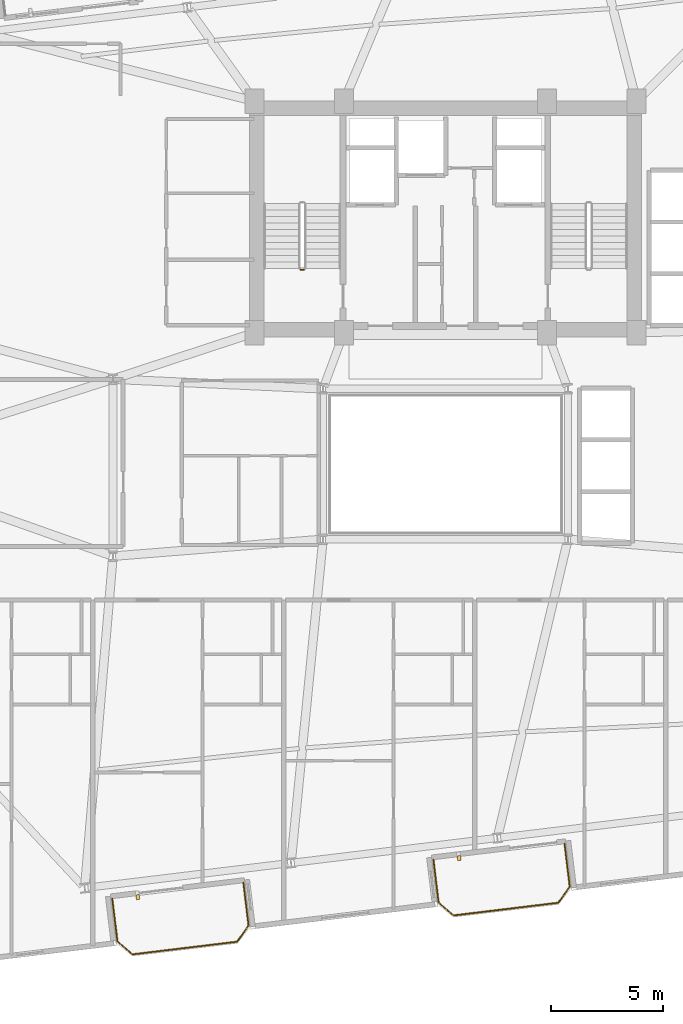
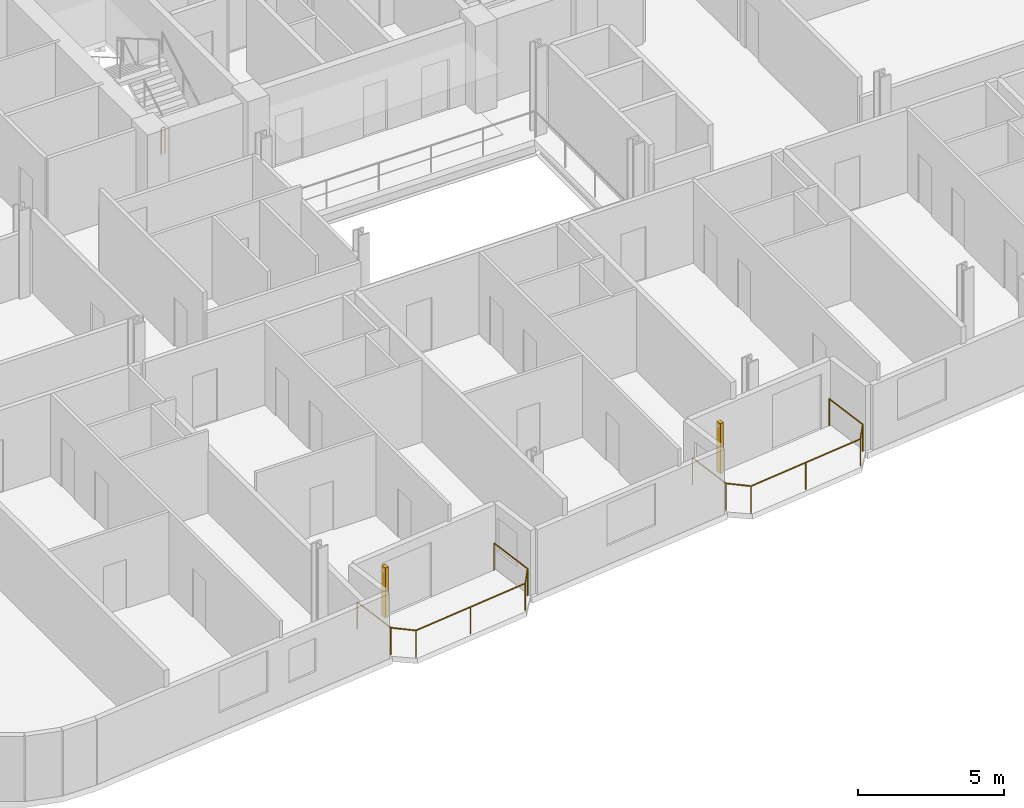
# One storey, part 20 of 23: 3 railings, 2 shading devices.
"""IFC4 building model written with IfcOpenShell, lengths in metres."""

from ifc_helpers import new_model, si_unit, direction, frame, origin, origin_2d, place, context, subcontext, project, spatial, rectangle, circle, extrude, source, transform, mapped, material, type_object, element, save


model = new_model("IFC4")

# Units and contexts
model_context = context("Model", 3, precision=1e-05, world=origin(), true_north=direction((0.0, 1.0)))
body_context = subcontext(model_context, "Body", "Model", "MODEL_VIEW")
ifc_project = project(units=[si_unit("LENGTHUNIT", "METRE"), si_unit("AREAUNIT", "SQUARE_METRE"), si_unit("VOLUMEUNIT", "CUBIC_METRE"), si_unit("PLANEANGLEUNIT", "RADIAN"), si_unit("MASSUNIT", "GRAM", prefix="KILO")], contexts=[model_context])

# Site, building, storey
site_placement = place(None, origin())
site = spatial("IfcSite", under=ifc_project, at=site_placement, CompositionType="ELEMENT")
building_placement = place(site_placement, origin())
building = spatial("IfcBuilding", under=site, at=building_placement, Name="Varnelok Gate Tower", CompositionType="ELEMENT")
storey_placement = place(building_placement, frame((0.0, 0.0, 193.10009765625)))
storey = spatial("IfcBuildingStorey", under=building, at=storey_placement, Name="L49", CompositionType="ELEMENT", Elevation=193.10009765625)

# Railings
ifc_material_1 = material(Name="Low-E Laminated Double Glazing IGU", Category="glass")
railing_type_1 = type_object("IfcRailingType", Name="RL-BALC-1150", PredefinedType="BALUSTRADE", material=ifc_material_1)
railing_1_placement = place(storey_placement, frame((24.368896484375, 3.55712890625, 0.0)))
element("IfcRailing", 1, at=railing_1_placement, inside=storey, type_object=railing_type_1, Name="L49 South Terrace Balustrade 1", PredefinedType="BALUSTRADE", context=body_context, shape_type="SweptSolid", body=[
    extrude(circle(Radius=0.02392578125, at=origin_2d()), frame((0.0, 0.0, 1.1259765625), z_axis=(0.120293392036, -0.992738384386, 0.0), x_axis=(0.992738384386, 0.120293392036, 0.0)), (0.0, 0.0, 1.0), 1.919921875),
    extrude(circle(Radius=0.02392578125, at=origin_2d()), frame((0.23095703125, -1.906005859375, 1.1259765625), z_axis=(0.756422670136, -0.654083132411, 0.0), x_axis=(0.654083132411, 0.756422670136, 0.0)), (0.0, 0.0, 1.0), 0.8779296875),
    extrude(circle(Radius=0.02392578125, at=origin_2d()), frame((0.89501953125, -2.480224609375, 1.1259765625), z_axis=(0.992736790351, 0.120306546306, 0.0), x_axis=(-0.120306546306, 0.992736790351, 0.0)), (0.0, 0.0, 1.0), 4.699951171875),
    extrude(circle(Radius=0.02392578125, at=origin_2d()), frame((5.560791015625, -1.914794921875, 1.1259765625), z_axis=(0.57815621837, 0.815926091726, 0.0), x_axis=(-0.815926091726, 0.57815621837, 0.0)), (0.0, 0.0, 1.0), 0.8779296875),
    extrude(circle(Radius=0.02392578125, at=origin_2d()), frame((6.068359375, -1.198486328125, 1.1259765625), z_axis=(-0.12040351024, 0.992725034802, 0.0), x_axis=(-0.992725034802, -0.12040351024, 0.0)), (0.0, 0.0, 1.0), 1.920166015625),
    extrude(circle(Radius=0.02099609375, at=origin_2d()), origin(), (0.0, 0.0, 1.0), 1.101806640625),
    extrude(circle(Radius=0.02099609375, at=origin_2d()), frame((0.23095703125, -1.906005859375, 0.0)), (0.0, 0.0, 1.0), 1.101806640625),
    extrude(circle(Radius=0.02099609375, at=origin_2d()), frame((0.89501953125, -2.480224609375, 0.0)), (0.0, 0.0, 1.0), 1.101806640625),
    extrude(circle(Radius=0.02099609375, at=origin_2d()), frame((3.22802734375, -2.197509765625, 0.0)), (0.0, 0.0, 1.0), 1.101806640625),
    extrude(circle(Radius=0.02099609375, at=origin_2d()), frame((5.560791015625, -1.914794921875, 0.0)), (0.0, 0.0, 1.0), 1.101806640625),
    extrude(circle(Radius=0.02099609375, at=origin_2d()), frame((6.068359375, -1.198486328125, 0.0)), (0.0, 0.0, 1.0), 1.101806640625),
    extrude(circle(Radius=0.02099609375, at=origin_2d()), frame((5.837158203125, 0.707763671875, 0.0)), (0.0, 0.0, 1.0), 1.101806640625),
])
railing_2_placement = place(storey_placement, frame((38.664306640625, 5.2900390625, 0.0)))
element("IfcRailing", 2, at=railing_2_placement, inside=storey, type_object=railing_type_1, Name="L49 South Terrace Balustrade 2", PredefinedType="BALUSTRADE", context=body_context, shape_type="SweptSolid", body=[
    extrude(circle(Radius=0.02392578125, at=origin_2d()), frame((0.0, 0.0, 1.1259765625), z_axis=(0.120293392036, -0.992738384386, 0.0), x_axis=(0.992738384386, 0.120293392036, 0.0)), (0.0, 0.0, 1.0), 1.919921875),
    extrude(circle(Radius=0.02392578125, at=origin_2d()), frame((0.23095703125, -1.906005859375, 1.1259765625), z_axis=(0.756303655992, -0.654220742513, 0.0), x_axis=(0.654220742513, 0.756303655992, 0.0)), (0.0, 0.0, 1.0), 0.877685546875),
    extrude(circle(Radius=0.02392578125, at=origin_2d()), frame((0.894775390625, -2.480224609375, 1.1259765625), z_axis=(0.99273133746, 0.120351533534, 0.0), x_axis=(-0.120351533534, 0.99273133746, 0.0)), (0.0, 0.0, 1.0), 4.7001953125),
    extrude(circle(Radius=0.02392578125, at=origin_2d()), frame((5.560791015625, -1.91455078125, 1.1259765625), z_axis=(0.577971037086, 0.816057277579, 0.0), x_axis=(-0.816057277579, 0.577971037086, 0.0)), (0.0, 0.0, 1.0), 0.877685546875),
    extrude(circle(Radius=0.02392578125, at=origin_2d()), frame((6.068115234375, -1.1982421875, 1.1259765625), z_axis=(-0.120293392036, 0.992738384386, 0.0), x_axis=(-0.992738384386, -0.120293392036, 0.0)), (0.0, 0.0, 1.0), 1.919921875),
    extrude(circle(Radius=0.02099609375, at=origin_2d()), origin(), (0.0, 0.0, 1.0), 1.101806640625),
    extrude(circle(Radius=0.02099609375, at=origin_2d()), frame((0.23095703125, -1.906005859375, 0.0)), (0.0, 0.0, 1.0), 1.101806640625),
    extrude(circle(Radius=0.02099609375, at=origin_2d()), frame((0.894775390625, -2.480224609375, 0.0)), (0.0, 0.0, 1.0), 1.101806640625),
    extrude(circle(Radius=0.02099609375, at=origin_2d()), frame((3.227783203125, -2.197265625, 0.0)), (0.0, 0.0, 1.0), 1.101806640625),
    extrude(circle(Radius=0.02099609375, at=origin_2d()), frame((5.560791015625, -1.91455078125, 0.0)), (0.0, 0.0, 1.0), 1.101806640625),
    extrude(circle(Radius=0.02099609375, at=origin_2d()), frame((6.068115234375, -1.1982421875, 0.0)), (0.0, 0.0, 1.0), 1.101806640625),
    extrude(circle(Radius=0.02099609375, at=origin_2d()), frame((5.837158203125, 0.707763671875, 0.0)), (0.0, 0.0, 1.0), 1.101806640625),
])
ifc_material_2 = material(Name="Galvanized Steel Grade S350GD", Category="steel")
railing_type_2 = type_object("IfcRailingType", Name="RL-STAIR-GUARD1120", PredefinedType="GUARDRAIL", material=ifc_material_2)
railing_3_placement = place(storey_placement, frame((32.89990234375, 31.550048828125, 0.0)))
element("IfcRailing", 3, at=railing_3_placement, inside=storey, type_object=railing_type_2, Name="L49 ST-1 stair guard 4", PredefinedType="GUARDRAIL", context=body_context, shape_type="SweptSolid", body=[
    extrude(circle(Radius=0.02392578125, at=origin_2d()), frame((0.0, 0.0, 1.09619140625), z_axis=(-1.0, 0.0, 0.0), x_axis=(0.0, -1.0, 0.0)), (0.0, 0.0, 1.0), 0.14990234375),
    extrude(circle(Radius=0.02099609375, at=origin_2d()), origin(), (0.0, 0.0, 1.0), 1.072021484375),
    extrude(circle(Radius=0.02099609375, at=origin_2d()), frame((-0.14990234375, 0.0, 0.0)), (0.0, 0.0, 1.0), 1.072021484375),
])

# Shading devices
ifc_material_3 = material(Name="Glazed Architectural Terracotta Ceramic", Category="masonry")
shading_device_type = type_object("IfcShadingDeviceType", Name="SHD-TERRA-FIN", PredefinedType="USERDEFINED", material=ifc_material_3)
shared_shape = source(origin(), body_context, "Body", "SweptSolid", [
    extrude(rectangle(XDim=0.139892578125, YDim=0.219970703125, at=origin_2d()), origin(), (0.0, 0.0, 1.0), 2.10009765625),
])
for number, where, z_axis, x_axis, name in (
    (4, (25.509033203125, 3.624755859375, 0.099853515625), (0.0, 0.0, 1.0), (0.992732158755, 0.12034475881, 0.0), "L49 Terracotta Ceramic Baguette Sunscreen 1.1"),
    (5, (39.80419921875, 5.35791015625, 0.099853515625), (0.0, 0.0, 1.0), (0.992732158755, 0.12034475881, 0.0), "L49 Terracotta Ceramic Baguette Sunscreen 2.1"),
):
    element("IfcShadingDevice", number, at=place(storey_placement, frame(where, z_axis=z_axis, x_axis=x_axis)), inside=storey, type_object=shading_device_type, Name=name, ObjectType="BAGUETTE", PredefinedType="USERDEFINED", context=body_context, shape_type="MappedRepresentation", body=[
        mapped(shared_shape, transform((0.0, 0.0, 0.0), scale=1.0)),
    ])

save(model, "model.ifc")
